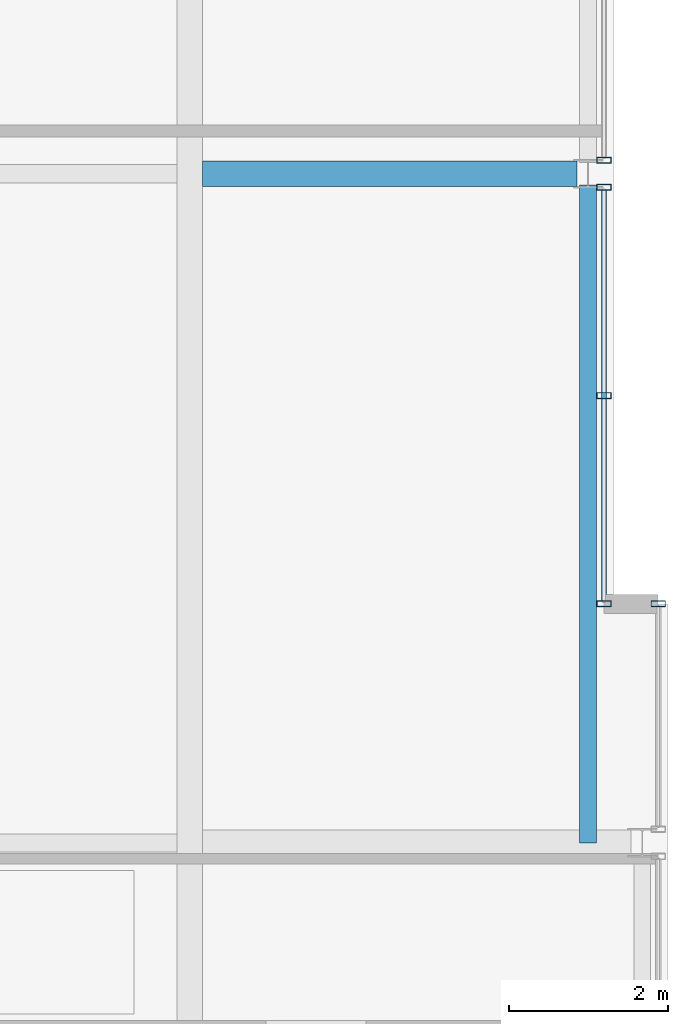
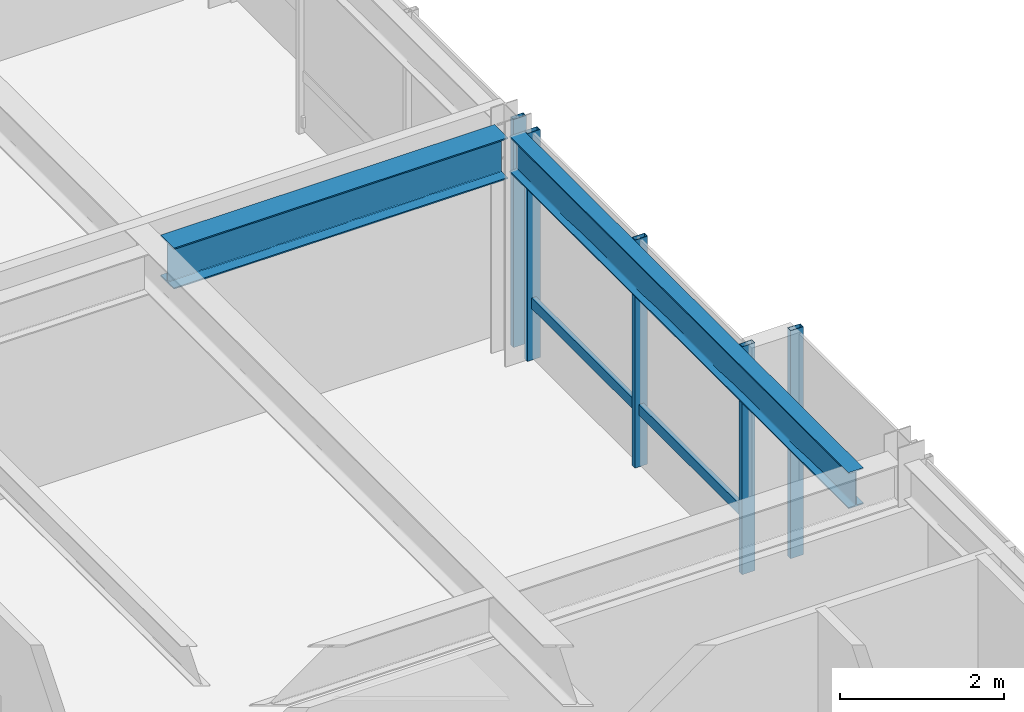
# One storey, part 18 of 33: 6 members, 2 beams, 3 elements without a shape of their own.
"""IFC4 building model written with IfcOpenShell, lengths in metres."""

from ifc_helpers import new_model, si_unit, direction, frame, origin, origin_2d, place, context, subcontext, project, spatial, hollow_rectangle, i_section, extrude, material, layer, layer_set, material_profile, profile_set, type_object, element, aggregate, save


model = new_model("IFC4")

# Units and contexts
model_context = context("Model", 3, precision=1e-05, world=origin(), true_north=direction((0.0, 1.0)))
body_context = subcontext(model_context, "Body", "Model", "MODEL_VIEW")
ifc_project = project(units=[si_unit("LENGTHUNIT", "METRE"), si_unit("AREAUNIT", "SQUARE_METRE"), si_unit("VOLUMEUNIT", "CUBIC_METRE"), si_unit("PLANEANGLEUNIT", "RADIAN"), si_unit("MASSUNIT", "GRAM", prefix="KILO")], contexts=[model_context])

# Site, building, storey
site_placement = place(None, origin())
site = spatial("IfcSite", under=ifc_project, at=site_placement, CompositionType="ELEMENT")
building_placement = place(site_placement, origin())
building = spatial("IfcBuilding", under=site, at=building_placement, Name="Drelvath Grand Hotel", CompositionType="ELEMENT")
storey_placement = place(building_placement, frame((0.0, 0.0, 279.60009765625)))
storey = spatial("IfcBuildingStorey", under=building, at=storey_placement, Name="L73", CompositionType="ELEMENT", Elevation=279.60009765625)

# Curtain wall, members
ifc_material_1 = material(Name="Platinum-Mist Anodised Aluminium Frame", Category="aluminium")
ifc_layer = layer(ifc_material_1, 0.199951171875)
ifc_layer_set = layer_set([ifc_layer], Name="Platinum-Mist Anodised Aluminium Frame")
curtain_wall_type = type_object("IfcCurtainWallType", Name="Stick Curtain Wall CW-05 Platinum Mist High-Rise", PredefinedType="NOTDEFINED", material=ifc_layer_set)
curtain_wall_1_placement = place(storey_placement, origin())
curtain_wall_1 = element("IfcCurtainWall", 1, at=curtain_wall_1_placement, inside=storey, type_object=curtain_wall_type, Name="L73 CW-05 Curtain Wall CW05-L73-EM1", PredefinedType="NOTDEFINED")
ifc_material_profile_1 = material_profile(ifc_material_1, hollow_rectangle(XDim=0.06494140625, YDim=0.159912109375, WallThickness=0.00390625, at=origin_2d()), Name="HSS160X65X4")
ifc_profile_set_1 = profile_set([ifc_material_profile_1], Name="Platinum-Mist Anodised Aluminium Frame")
member_type_1 = type_object("IfcMemberType", Name="Curtain Wall Horizontal Transom CW-05 HSS160X65X4", PredefinedType="USERDEFINED", material=ifc_profile_set_1)
member_1_placement = place(storey_placement, frame((21.39990234375, 26.7900390625, 0.847412109375), z_axis=(0.0, -1.0, 0.0), x_axis=(1.0, 0.0, 0.0)))
member_1 = element("IfcMember", 2, at=member_1_placement, type_object=member_type_1, Name="CW05-L73-EM1 Sill Transom", ObjectType="TRANSOM", PredefinedType="USERDEFINED", context=body_context, shape_type="SweptSolid", body=[
    extrude(hollow_rectangle(XDim=0.06494140625, YDim=0.159912109375, WallThickness=0.00390625, at=origin_2d()), origin(), (0.0, 0.0, 1.0), 5.150146484375),
])
ifc_material_profile_2 = material_profile(ifc_material_1, hollow_rectangle(XDim=0.074951171875, YDim=0.179931640625, WallThickness=0.0048828125, at=origin_2d()), Name="HSS180X75X5")
ifc_profile_set_2 = profile_set([ifc_material_profile_2], Name="Platinum-Mist Anodised Aluminium Frame")
member_type_2 = type_object("IfcMemberType", Name="Curtain Wall Vertical Mullion CW-05 HSS180X75X5", PredefinedType="MULLION", material=ifc_profile_set_2)
member_2_placement = place(storey_placement, frame((21.39990234375, 26.830078125, 0.0), z_axis=(0.0, 0.0, 1.0), x_axis=(0.0, 1.0, 0.0)))
member_2 = element("IfcMember", 3, at=member_2_placement, type_object=member_type_2, Name="CW05-L73-EM1 Mullion 1", PredefinedType="MULLION", context=body_context, shape_type="SweptSolid", body=[
    extrude(hollow_rectangle(XDim=0.074951171875, YDim=0.179931640625, WallThickness=0.0048828125, at=origin_2d()), origin(), (0.0, 0.0, 1.0), 3.389892578125),
])
member_3_placement = place(storey_placement, frame((21.39990234375, 24.215087890625, 0.0), z_axis=(0.0, 0.0, 1.0), x_axis=(0.0, 1.0, 0.0)))
member_3 = element("IfcMember", 4, at=member_3_placement, type_object=member_type_2, Name="CW05-L73-EM1 Mullion 2", PredefinedType="MULLION", context=body_context, shape_type="SweptSolid", body=[
    extrude(hollow_rectangle(XDim=0.074951171875, YDim=0.179931640625, WallThickness=0.0048828125, at=origin_2d()), origin(), (0.0, 0.0, 1.0), 3.389892578125),
])
member_4_placement = place(storey_placement, frame((21.39990234375, 21.60009765625, 0.0), z_axis=(0.0, 0.0, 1.0), x_axis=(0.0, 1.0, 0.0)))
member_4 = element("IfcMember", 5, at=member_4_placement, type_object=member_type_2, Name="CW05-L73-EM1 Mullion 3", PredefinedType="MULLION", context=body_context, shape_type="SweptSolid", body=[
    extrude(hollow_rectangle(XDim=0.074951171875, YDim=0.179931640625, WallThickness=0.0048828125, at=origin_2d()), origin(), (0.0, 0.0, 1.0), 3.389892578125),
])
aggregate(curtain_wall_1, [member_2, member_3, member_4, member_1])

# Curtain wall, member
curtain_wall_2_placement = place(storey_placement, origin())
curtain_wall_2 = element("IfcCurtainWall", 6, at=curtain_wall_2_placement, inside=storey, type_object=curtain_wall_type, Name="L73 CW-05 Curtain Wall CW05-L73-EM2", PredefinedType="NOTDEFINED")
member_5_placement = place(storey_placement, frame((21.39990234375, 27.169921875, 0.0), z_axis=(0.0, 0.0, 1.0), x_axis=(0.0, 1.0, 0.0)))
member_5 = element("IfcMember", 7, at=member_5_placement, type_object=member_type_2, Name="CW05-L73-EM2 Mullion 3", PredefinedType="MULLION", context=body_context, shape_type="SweptSolid", body=[
    extrude(hollow_rectangle(XDim=0.074951171875, YDim=0.179931640625, WallThickness=0.0048828125, at=origin_2d()), origin(), (0.0, 0.0, 1.0), 3.389892578125),
])
aggregate(curtain_wall_2, [member_5])

curtain_wall_3_placement = place(storey_placement, origin())
curtain_wall_3 = element("IfcCurtainWall", 8, at=curtain_wall_3_placement, inside=storey, type_object=curtain_wall_type, Name="L73 CW-05 Curtain Wall CW05-L73-ES2", PredefinedType="NOTDEFINED")
member_6_placement = place(storey_placement, frame((22.080078125, 21.60009765625, 0.0), z_axis=(0.0, 0.0, 1.0), x_axis=(0.0, 1.0, 0.0)))
member_6 = element("IfcMember", 9, at=member_6_placement, type_object=member_type_2, Name="CW05-L73-ES2 Mullion 1", PredefinedType="MULLION", context=body_context, shape_type="SweptSolid", body=[
    extrude(hollow_rectangle(XDim=0.074951171875, YDim=0.179931640625, WallThickness=0.0048828125, at=origin_2d()), origin(), (0.0, 0.0, 1.0), 3.389892578125),
])
aggregate(curtain_wall_3, [member_6])

# Beams
ifc_material_2 = material(Name="Steel ASTM A992 Gr 50", Category="steel")
ifc_material_profile_3 = material_profile(ifc_material_2, i_section(OverallWidth=0.210205078125, OverallDepth=0.53662109375, WebThickness=0.010986328125, FlangeThickness=0.017333984375, FilletRadius=0.01806640625, at=origin_2d()), Name="W21X68")
ifc_profile_set_3 = profile_set([ifc_material_profile_3], Name="Steel ASTM A992 Gr 50")
beam_type_1 = type_object("IfcBeamType", Name="Perimeter Spandrel Beam W21X68", PredefinedType="SPANDREL", material=ifc_profile_set_3)
beam_1_placement = place(storey_placement, frame((21.199951171875, 18.60009765625, 3.12158203125), z_axis=(0.0, 1.0, 0.0), x_axis=(-1.0, 0.0, 0.0)))
element("IfcBeam", 10, at=beam_1_placement, inside=storey, type_object=beam_type_1, Name="L73 Spandrel East Mid S", PredefinedType="SPANDREL", context=body_context, shape_type="SweptSolid", body=[
    extrude(i_section(OverallWidth=0.210205078125, OverallDepth=0.53662109375, WebThickness=0.010986328125, FlangeThickness=0.017333984375, FilletRadius=0.01806640625, at=origin_2d()), origin(), (0.0, 0.0, 1.0), 8.260009765625),
])
ifc_material_profile_4 = material_profile(ifc_material_2, i_section(OverallWidth=0.323974609375, OverallDepth=0.611083984375, WebThickness=0.0126953125, FlangeThickness=0.01904296875, FilletRadius=0.02197265625, at=origin_2d()), Name="W24X104")
ifc_profile_set_4 = profile_set([ifc_material_profile_4], Name="Steel ASTM A992 Gr 50")
beam_type_2 = type_object("IfcBeamType", Name="Primary Floor Girder W24X104", PredefinedType="BEAM", material=ifc_profile_set_4)
beam_2_placement = place(storey_placement, frame((16.362060546875, 27.0, 3.08447265625), z_axis=(1.0, 0.0, 0.0), x_axis=(0.0, 1.0, 0.0)))
element("IfcBeam", 11, at=beam_2_placement, inside=storey, type_object=beam_type_2, Name="L73 East Wing Girder E", PredefinedType="BEAM", context=body_context, shape_type="SweptSolid", body=[
    extrude(i_section(OverallWidth=0.323974609375, OverallDepth=0.611083984375, WebThickness=0.0126953125, FlangeThickness=0.01904296875, FilletRadius=0.02197265625, at=origin_2d()), origin(), (0.0, 0.0, 1.0), 4.697998046875),
])

save(model, "model.ifc")
